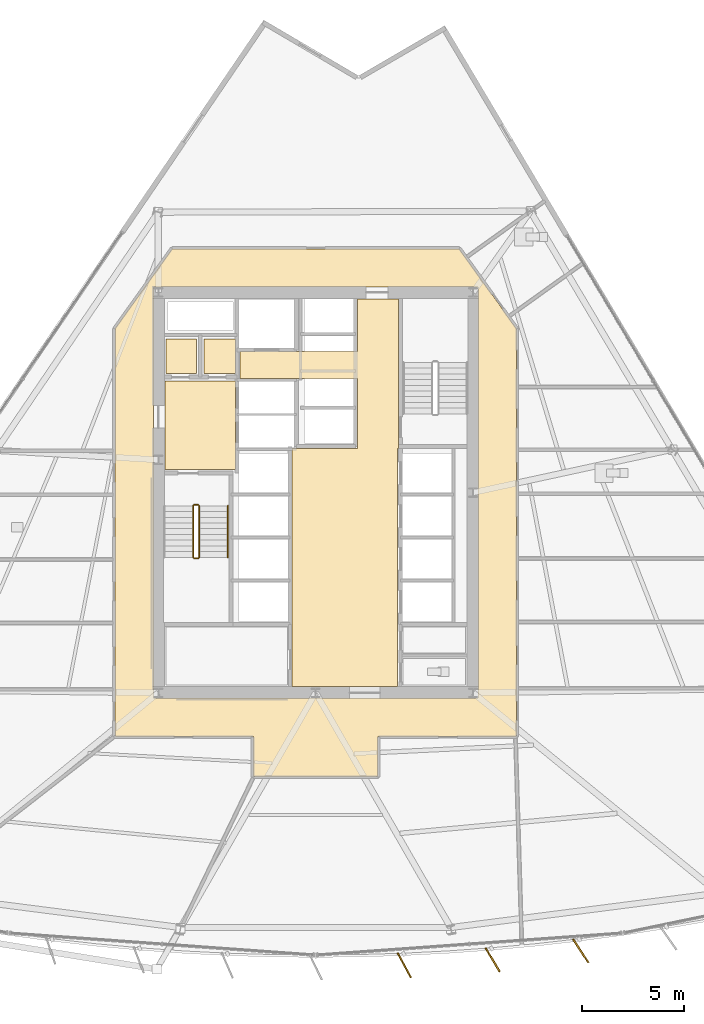
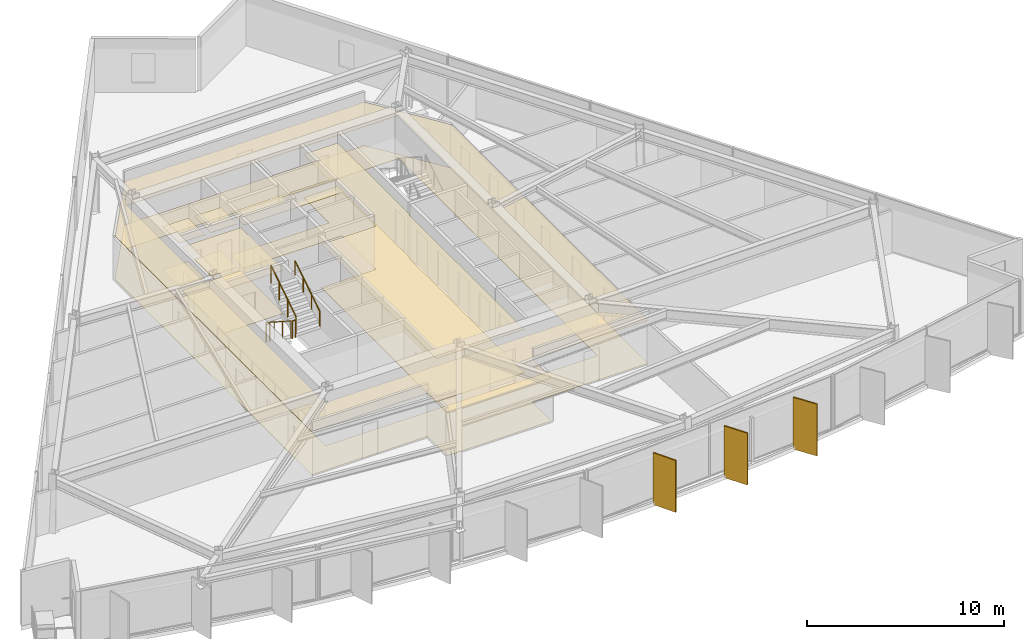
# One storey, part 14 of 17: 10 coverings, 5 railings, 3 shading devices.
"""IFC4 building model written with IfcOpenShell, lengths in metres."""

from ifc_helpers import new_model, si_unit, direction, frame, origin, origin_2d, place, context, subcontext, project, spatial, polyline, rectangle, circle, outline, extrude, material, layer, layer_set, type_object, element, save


model = new_model("IFC4")

# Units and contexts
model_context = context("Model", 3, precision=1e-05, world=origin(), true_north=direction((0.0, 1.0)))
body_context = subcontext(model_context, "Body", "Model", "MODEL_VIEW")
ifc_project = project(units=[si_unit("LENGTHUNIT", "METRE"), si_unit("AREAUNIT", "SQUARE_METRE"), si_unit("VOLUMEUNIT", "CUBIC_METRE"), si_unit("PLANEANGLEUNIT", "RADIAN"), si_unit("MASSUNIT", "GRAM", prefix="KILO")], contexts=[model_context])

# Site, building, storey
site_placement = place(None, origin())
site = spatial("IfcSite", under=ifc_project, at=site_placement, CompositionType="ELEMENT")
building_placement = place(site_placement, origin())
building = spatial("IfcBuilding", under=site, at=building_placement, Name="Savorim Split Tower", CompositionType="ELEMENT")
storey_placement = place(building_placement, frame((0.0, 0.0, 55.199951171875)))
storey = spatial("IfcBuildingStorey", under=building, at=storey_placement, Name="L14", CompositionType="ELEMENT", Elevation=55.199951171875)

# Coverings
ifc_material_1 = material(Name="Mineral Fibre Acoustic Ceiling")
ifc_layer_1 = layer(ifc_material_1, 0.02490234375)
ifc_layer_set_1 = layer_set([ifc_layer_1], Name="COV-CEIL-25")
covering_type_1 = type_object("IfcCoveringType", Name="COV-CEIL-25", PredefinedType="CEILING", material=ifc_layer_set_1)
covering_1_placement = place(storey_placement, frame((0.0, 0.0, 2.670166015625)))
element("IfcCovering", 1, at=covering_1_placement, inside=storey, type_object=covering_type_1, Name="L14 Firefighting Lift Lobby Acoustic Ceiling", PredefinedType="CEILING", context=body_context, shape_type="SweptSolid", body=[
    extrude(outline(polyline([(-7.3798828125, 5.8701171875), (-7.3798828125, 1.530029296875), (-3.929931640625, 1.530029296875), (-3.929931640625, 5.8701171875), (-7.3798828125, 5.8701171875)])), origin(), (0.0, 0.0, 1.0), 0.02490234375),
])
covering_2_placement = place(storey_placement, frame((0.0, 0.0, 2.670166015625)))
element("IfcCovering", 2, at=covering_2_placement, inside=storey, type_object=covering_type_1, Name="L14 Electrical Riser Acoustic Ceiling", PredefinedType="CEILING", context=body_context, shape_type="SweptSolid", body=[
    extrude(outline(polyline([(-7.320068359375, 7.919921875), (-7.320068359375, 6.22998046875), (-5.830078125, 6.22998046875), (-5.830078125, 7.919921875), (-7.320068359375, 7.919921875)])), origin(), (0.0, 0.0, 1.0), 0.02490234375),
])
covering_3_placement = place(storey_placement, frame((0.0, 0.0, 2.670166015625)))
element("IfcCovering", 3, at=covering_3_placement, inside=storey, type_object=covering_type_1, Name="L14 Telecom Riser Acoustic Ceiling", PredefinedType="CEILING", context=body_context, shape_type="SweptSolid", body=[
    extrude(outline(polyline([(-5.469970703125, 7.919921875), (-5.469970703125, 6.22998046875), (-3.929931640625, 6.22998046875), (-3.929931640625, 7.919921875), (-5.469970703125, 7.919921875)])), origin(), (0.0, 0.0, 1.0), 0.02490234375),
])
covering_4_placement = place(storey_placement, frame((0.0, 0.0, 2.670166015625)))
element("IfcCovering", 4, at=covering_4_placement, inside=storey, type_object=covering_type_1, Name="L14 Lift Lobby Acoustic Ceiling", PredefinedType="CEILING", context=body_context, shape_type="SweptSolid", body=[
    extrude(outline(polyline([(2.050048828125, 2.550048828125), (-1.14990234375, 2.550048828125), (-1.14990234375, -9.10009765625), (4.0, -9.10009765625), (4.0, 2.550048828125), (4.050048828125, 2.550048828125), (4.050048828125, 5.97998046875), (4.050048828125, 7.300048828125), (4.050048828125, 9.8798828125), (2.050048828125, 9.8798828125), (2.050048828125, 7.300048828125), (-3.699951171875, 7.300048828125), (-3.699951171875, 5.97998046875), (2.050048828125, 5.97998046875), (2.050048828125, 2.550048828125)])), origin(), (0.0, 0.0, 1.0), 0.02490234375),
])
covering_5_placement = place(storey_placement, frame((0.0, 0.0, 2.670166015625)))
element("IfcCovering", 5, at=covering_5_placement, inside=storey, type_object=covering_type_1, Name="L14 Corridor Acoustic Ceiling", PredefinedType="CEILING", context=body_context, shape_type="SweptSolid", body=[
    extrude(outline(polyline([(7.009521484375, 12.3291015625), (7.004638671875, 12.329833984375), (7.0, 12.330078125), (-7.0, 12.330078125), (-7.004638671875, 12.329833984375), (-7.009521484375, 12.3291015625), (-7.013916015625, 12.327880859375), (-7.0185546875, 12.326416015625), (-7.022705078125, 12.324462890625), (-7.027099609375, 12.322021484375), (-7.03076171875, 12.3193359375), (-7.034423828125, 12.31640625), (-7.03759765625, 12.312744140625), (-7.04052734375, 12.30908203125), (-9.820556640625, 8.42919921875), (-9.823486328125, 8.4248046875), (-9.82568359375, 8.420166015625), (-9.82763671875, 8.415283203125), (-9.828857421875, 8.410400390625), (-9.82958984375, 8.4052734375), (-9.830078125, 8.39990234375), (-9.830078125, -11.47998046875), (-9.829833984375, -11.48486328125), (-9.8291015625, -11.48974609375), (-9.827880859375, -11.494384765625), (-9.826171875, -11.4990234375), (-9.82421875, -11.503662109375), (-9.821533203125, -11.5078125), (-9.818603515625, -11.51171875), (-9.8154296875, -11.515380859375), (-9.811767578125, -11.518798828125), (-9.807861328125, -11.521484375), (-9.8037109375, -11.524169921875), (-9.799072265625, -11.526123046875), (-9.79443359375, -11.52783203125), (-9.789794921875, -11.529052734375), (-9.784912109375, -11.52978515625), (-9.780029296875, -11.530029296875), (-3.050048828125, -11.530029296875), (-3.050048828125, -13.449951171875), (-3.0498046875, -13.454833984375), (-3.049072265625, -13.459716796875), (-3.0478515625, -13.464599609375), (-3.046142578125, -13.468994140625), (-3.044189453125, -13.4736328125), (-3.04150390625, -13.477783203125), (-3.038818359375, -13.481689453125), (-3.035400390625, -13.4853515625), (-3.03173828125, -13.48876953125), (-3.02783203125, -13.49169921875), (-3.023681640625, -13.494140625), (-3.01904296875, -13.49609375), (-3.014404296875, -13.497802734375), (-3.009765625, -13.4990234375), (-3.0048828125, -13.499755859375), (-3.0, -13.5), (3.0, -13.5), (3.0048828125, -13.499755859375), (3.009765625, -13.4990234375), (3.014404296875, -13.497802734375), (3.01904296875, -13.49609375), (3.023681640625, -13.494140625), (3.02783203125, -13.49169921875), (3.03173828125, -13.48876953125), (3.035400390625, -13.4853515625), (3.038818359375, -13.481689453125), (3.04150390625, -13.477783203125), (3.044189453125, -13.4736328125), (3.046142578125, -13.468994140625), (3.0478515625, -13.464599609375), (3.049072265625, -13.459716796875), (3.0498046875, -13.454833984375), (3.050048828125, -13.449951171875), (3.050048828125, -11.530029296875), (9.780029296875, -11.530029296875), (9.784912109375, -11.52978515625), (9.789794921875, -11.529052734375), (9.79443359375, -11.52783203125), (9.799072265625, -11.526123046875), (9.8037109375, -11.524169921875), (9.807861328125, -11.521484375), (9.811767578125, -11.518798828125), (9.8154296875, -11.515380859375), (9.818603515625, -11.51171875), (9.821533203125, -11.5078125), (9.82421875, -11.503662109375), (9.826171875, -11.4990234375), (9.827880859375, -11.494384765625), (9.8291015625, -11.48974609375), (9.829833984375, -11.48486328125), (9.830078125, -11.47998046875), (9.830078125, 8.39990234375), (9.82958984375, 8.4052734375), (9.828857421875, 8.410400390625), (9.82763671875, 8.415283203125), (9.82568359375, 8.420166015625), (9.823486328125, 8.4248046875), (9.820556640625, 8.42919921875), (7.04052734375, 12.30908203125), (7.03759765625, 12.312744140625), (7.034423828125, 12.31640625), (7.03076171875, 12.3193359375), (7.027099609375, 12.322021484375), (7.022705078125, 12.324462890625), (7.0185546875, 12.326416015625), (7.013916015625, 12.327880859375), (7.009521484375, 12.3291015625)]), holes=[polyline([(-7.949951171875, 10.449951171875), (-7.949951171875, -9.64990234375), (7.949951171875, -9.64990234375), (7.949951171875, 10.449951171875), (-7.949951171875, 10.449951171875)])]), origin(), (0.0, 0.0, 1.0), 0.02490234375),
])
ifc_material_2 = material(Name="Porcelain Stoneware Flooring", Category="masonry")
ifc_layer_2 = layer(ifc_material_2, 0.02001953125)
ifc_layer_set_2 = layer_set([ifc_layer_2], Name="COV-FLOR-20")
covering_type_2 = type_object("IfcCoveringType", Name="COV-FLOR-20", PredefinedType="FLOORING", material=ifc_layer_set_2)
covering_6_placement = place(storey_placement, origin())
element("IfcCovering", 6, at=covering_6_placement, inside=storey, type_object=covering_type_2, Name="L14 Firefighting Lift Lobby Porcelain Flooring", PredefinedType="FLOORING", context=body_context, shape_type="SweptSolid", body=[
    extrude(outline(polyline([(-7.3798828125, 5.8701171875), (-7.3798828125, 1.530029296875), (-3.929931640625, 1.530029296875), (-3.929931640625, 5.8701171875), (-7.3798828125, 5.8701171875)])), origin(), (0.0, 0.0, 1.0), 0.02001953125),
])
covering_7_placement = place(storey_placement, origin())
element("IfcCovering", 7, at=covering_7_placement, inside=storey, type_object=covering_type_2, Name="L14 Electrical Riser Porcelain Flooring", PredefinedType="FLOORING", context=body_context, shape_type="SweptSolid", body=[
    extrude(outline(polyline([(-7.320068359375, 7.919921875), (-7.320068359375, 6.22998046875), (-5.830078125, 6.22998046875), (-5.830078125, 7.919921875), (-7.320068359375, 7.919921875)])), origin(), (0.0, 0.0, 1.0), 0.02001953125),
])
covering_8_placement = place(storey_placement, origin())
element("IfcCovering", 8, at=covering_8_placement, inside=storey, type_object=covering_type_2, Name="L14 Telecom Riser Porcelain Flooring", PredefinedType="FLOORING", context=body_context, shape_type="SweptSolid", body=[
    extrude(outline(polyline([(-5.469970703125, 7.919921875), (-5.469970703125, 6.22998046875), (-3.929931640625, 6.22998046875), (-3.929931640625, 7.919921875), (-5.469970703125, 7.919921875)])), origin(), (0.0, 0.0, 1.0), 0.02001953125),
])
covering_9_placement = place(storey_placement, origin())
element("IfcCovering", 9, at=covering_9_placement, inside=storey, type_object=covering_type_2, Name="L14 Lift Lobby Porcelain Flooring", PredefinedType="FLOORING", context=body_context, shape_type="SweptSolid", body=[
    extrude(outline(polyline([(2.050048828125, 2.550048828125), (-1.14990234375, 2.550048828125), (-1.14990234375, -9.10009765625), (4.0, -9.10009765625), (4.0, 2.550048828125), (4.050048828125, 2.550048828125), (4.050048828125, 5.97998046875), (4.050048828125, 7.300048828125), (4.050048828125, 9.8798828125), (2.050048828125, 9.8798828125), (2.050048828125, 7.300048828125), (-3.699951171875, 7.300048828125), (-3.699951171875, 5.97998046875), (2.050048828125, 5.97998046875), (2.050048828125, 2.550048828125)])), origin(), (0.0, 0.0, 1.0), 0.02001953125),
])
covering_10_placement = place(storey_placement, origin())
element("IfcCovering", 10, at=covering_10_placement, inside=storey, type_object=covering_type_2, Name="L14 Corridor Porcelain Flooring", PredefinedType="FLOORING", context=body_context, shape_type="SweptSolid", body=[
    extrude(outline(polyline([(7.009521484375, 12.3291015625), (7.004638671875, 12.329833984375), (7.0, 12.330078125), (-7.0, 12.330078125), (-7.004638671875, 12.329833984375), (-7.009521484375, 12.3291015625), (-7.013916015625, 12.327880859375), (-7.0185546875, 12.326416015625), (-7.022705078125, 12.324462890625), (-7.027099609375, 12.322021484375), (-7.03076171875, 12.3193359375), (-7.034423828125, 12.31640625), (-7.03759765625, 12.312744140625), (-7.04052734375, 12.30908203125), (-9.820556640625, 8.42919921875), (-9.823486328125, 8.4248046875), (-9.82568359375, 8.420166015625), (-9.82763671875, 8.415283203125), (-9.828857421875, 8.410400390625), (-9.82958984375, 8.4052734375), (-9.830078125, 8.39990234375), (-9.830078125, -11.47998046875), (-9.829833984375, -11.48486328125), (-9.8291015625, -11.48974609375), (-9.827880859375, -11.494384765625), (-9.826171875, -11.4990234375), (-9.82421875, -11.503662109375), (-9.821533203125, -11.5078125), (-9.818603515625, -11.51171875), (-9.8154296875, -11.515380859375), (-9.811767578125, -11.518798828125), (-9.807861328125, -11.521484375), (-9.8037109375, -11.524169921875), (-9.799072265625, -11.526123046875), (-9.79443359375, -11.52783203125), (-9.789794921875, -11.529052734375), (-9.784912109375, -11.52978515625), (-9.780029296875, -11.530029296875), (-3.050048828125, -11.530029296875), (-3.050048828125, -13.449951171875), (-3.0498046875, -13.454833984375), (-3.049072265625, -13.459716796875), (-3.0478515625, -13.464599609375), (-3.046142578125, -13.468994140625), (-3.044189453125, -13.4736328125), (-3.04150390625, -13.477783203125), (-3.038818359375, -13.481689453125), (-3.035400390625, -13.4853515625), (-3.03173828125, -13.48876953125), (-3.02783203125, -13.49169921875), (-3.023681640625, -13.494140625), (-3.01904296875, -13.49609375), (-3.014404296875, -13.497802734375), (-3.009765625, -13.4990234375), (-3.0048828125, -13.499755859375), (-3.0, -13.5), (3.0, -13.5), (3.0048828125, -13.499755859375), (3.009765625, -13.4990234375), (3.014404296875, -13.497802734375), (3.01904296875, -13.49609375), (3.023681640625, -13.494140625), (3.02783203125, -13.49169921875), (3.03173828125, -13.48876953125), (3.035400390625, -13.4853515625), (3.038818359375, -13.481689453125), (3.04150390625, -13.477783203125), (3.044189453125, -13.4736328125), (3.046142578125, -13.468994140625), (3.0478515625, -13.464599609375), (3.049072265625, -13.459716796875), (3.0498046875, -13.454833984375), (3.050048828125, -13.449951171875), (3.050048828125, -11.530029296875), (9.780029296875, -11.530029296875), (9.784912109375, -11.52978515625), (9.789794921875, -11.529052734375), (9.79443359375, -11.52783203125), (9.799072265625, -11.526123046875), (9.8037109375, -11.524169921875), (9.807861328125, -11.521484375), (9.811767578125, -11.518798828125), (9.8154296875, -11.515380859375), (9.818603515625, -11.51171875), (9.821533203125, -11.5078125), (9.82421875, -11.503662109375), (9.826171875, -11.4990234375), (9.827880859375, -11.494384765625), (9.8291015625, -11.48974609375), (9.829833984375, -11.48486328125), (9.830078125, -11.47998046875), (9.830078125, 8.39990234375), (9.82958984375, 8.4052734375), (9.828857421875, 8.410400390625), (9.82763671875, 8.415283203125), (9.82568359375, 8.420166015625), (9.823486328125, 8.4248046875), (9.820556640625, 8.42919921875), (7.04052734375, 12.30908203125), (7.03759765625, 12.312744140625), (7.034423828125, 12.31640625), (7.03076171875, 12.3193359375), (7.027099609375, 12.322021484375), (7.022705078125, 12.324462890625), (7.0185546875, 12.326416015625), (7.013916015625, 12.327880859375), (7.009521484375, 12.3291015625)]), holes=[polyline([(-7.949951171875, 10.449951171875), (-7.949951171875, -9.64990234375), (7.949951171875, -9.64990234375), (7.949951171875, 10.449951171875), (-7.949951171875, 10.449951171875)])]), origin(), (0.0, 0.0, 1.0), 0.02001953125),
])

# Railings
ifc_material_3 = material(Name="Galvanised Painted Steel Balustrade", Category="steel")
railing_type_1 = type_object("IfcRailingType", Name="RLG-HR-900", PredefinedType="HANDRAIL", material=ifc_material_3)
railing_1_placement = place(storey_placement, frame((-4.300048828125, -2.77001953125, 1.97998046875)))
element("IfcRailing", 11, at=railing_1_placement, inside=storey, type_object=railing_type_1, Name="L14 ST-1 stair handrail 2", PredefinedType="HANDRAIL", context=body_context, shape_type="SweptSolid", body=[
    extrude(circle(Radius=0.02392578125, at=origin_2d()), frame((0.0, 0.0, 0.8759765625), z_axis=(0.0, 0.841162588446, 0.540782303519), x_axis=(-1.0, 0.0, 0.0)), (0.0, 0.0, 1.0), 2.995849609375),
    extrude(circle(Radius=0.02099609375, at=origin_2d()), origin(), (0.0, 0.0, 1.0), 0.851806640625),
    extrude(circle(Radius=0.02099609375, at=origin_2d()), frame((0.0, 0.840087890625, 0.5400390625)), (0.0, 0.0, 1.0), 0.851806640625),
    extrude(circle(Radius=0.02099609375, at=origin_2d()), frame((0.0, 1.679931640625, 1.080078125)), (0.0, 0.0, 1.0), 0.851806640625),
    extrude(circle(Radius=0.02099609375, at=origin_2d()), frame((0.0, 2.52001953125, 1.6201171875)), (0.0, 0.0, 1.0), 0.851806640625),
])
railing_type_2 = type_object("IfcRailingType", Name="RLG-STG-1100", PredefinedType="BALUSTRADE", material=ifc_material_3)
railing_2_placement = place(storey_placement, frame((-6.0, -0.25, 0.179931640625)))
element("IfcRailing", 12, at=railing_2_placement, inside=storey, type_object=railing_type_2, Name="L14 ST-1 stair guard 1", PredefinedType="BALUSTRADE", context=body_context, shape_type="SweptSolid", body=[
    extrude(circle(Radius=0.02392578125, at=origin_2d()), frame((0.0, 0.0, 1.076171875), z_axis=(0.0, -0.841162588446, 0.540782303519), x_axis=(1.0, 0.0, 0.0)), (0.0, 0.0, 1.0), 2.995849609375),
    extrude(circle(Radius=0.02099609375, at=origin_2d()), origin(), (0.0, 0.0, 1.0), 1.052001953125),
    extrude(circle(Radius=0.02099609375, at=origin_2d()), frame((0.0, -0.840087890625, 0.5400390625)), (0.0, 0.0, 1.0), 1.052001953125),
    extrude(circle(Radius=0.02099609375, at=origin_2d()), frame((0.0, -1.679931640625, 1.080078125)), (0.0, 0.0, 1.0), 1.052001953125),
    extrude(circle(Radius=0.02099609375, at=origin_2d()), frame((0.0, -2.52001953125, 1.6201171875)), (0.0, 0.0, 1.0), 1.052001953125),
])
railing_3_placement = place(storey_placement, frame((-5.949951171875, -2.820068359375, 1.800048828125)))
element("IfcRailing", 13, at=railing_3_placement, inside=storey, type_object=railing_type_2, Name="L14 ST-1 stair guard 2", PredefinedType="BALUSTRADE", context=body_context, shape_type="SweptSolid", body=[
    extrude(circle(Radius=0.02392578125, at=origin_2d()), frame((0.0, 0.0, 1.076171875), z_axis=(1.0, 0.0, 0.0), x_axis=(0.0, 1.0, 0.0)), (0.0, 0.0, 1.0), 0.199951171875),
    extrude(circle(Radius=0.02099609375, at=origin_2d()), origin(), (0.0, 0.0, 1.0), 1.052001953125),
    extrude(circle(Radius=0.02099609375, at=origin_2d()), frame((0.199951171875, 0.0, 0.0)), (0.0, 0.0, 1.0), 1.052001953125),
])
railing_4_placement = place(storey_placement, frame((-5.699951171875, -2.77001953125, 1.97998046875)))
element("IfcRailing", 14, at=railing_4_placement, inside=storey, type_object=railing_type_2, Name="L14 ST-1 stair guard 3", PredefinedType="BALUSTRADE", context=body_context, shape_type="SweptSolid", body=[
    extrude(circle(Radius=0.02392578125, at=origin_2d()), frame((0.0, 0.0, 1.076171875), z_axis=(0.0, 0.841162588446, 0.540782303519), x_axis=(-1.0, 0.0, 0.0)), (0.0, 0.0, 1.0), 2.995849609375),
    extrude(circle(Radius=0.02099609375, at=origin_2d()), origin(), (0.0, 0.0, 1.0), 1.052001953125),
    extrude(circle(Radius=0.02099609375, at=origin_2d()), frame((0.0, 0.840087890625, 0.5400390625)), (0.0, 0.0, 1.0), 1.052001953125),
    extrude(circle(Radius=0.02099609375, at=origin_2d()), frame((0.0, 1.679931640625, 1.080078125)), (0.0, 0.0, 1.0), 1.052001953125),
    extrude(circle(Radius=0.02099609375, at=origin_2d()), frame((0.0, 2.52001953125, 1.6201171875)), (0.0, 0.0, 1.0), 1.052001953125),
])
railing_5_placement = place(storey_placement, frame((-5.949951171875, -0.199951171875, 0.0)))
element("IfcRailing", 15, at=railing_5_placement, inside=storey, type_object=railing_type_2, Name="L14 ST-1 stair guard 4", PredefinedType="BALUSTRADE", context=body_context, shape_type="SweptSolid", body=[
    extrude(circle(Radius=0.02392578125, at=origin_2d()), frame((0.0, 0.0, 1.076171875), z_axis=(1.0, 0.0, 0.0), x_axis=(0.0, 1.0, 0.0)), (0.0, 0.0, 1.0), 0.199951171875),
    extrude(circle(Radius=0.02099609375, at=origin_2d()), origin(), (0.0, 0.0, 1.0), 1.052001953125),
    extrude(circle(Radius=0.02099609375, at=origin_2d()), frame((0.199951171875, 0.0, 0.0)), (0.0, 0.0, 1.0), 1.052001953125),
])

# Shading devices
ifc_material_4 = material(Name="Terracotta Ceramic-Coated Aluminium Fin", Category="masonry")
shading_device_type = type_object("IfcShadingDeviceType", Name="SHD-FIN-1360", PredefinedType="USERDEFINED", material=ifc_material_4)
for number, where, z_axis, x_axis, name in (
    (16, (4.33349609375, -22.73779296875, -0.19970703125), (0.0, 0.0, 1.0), (0.474778051978, -0.880105562623, 0.0), "L14 Sawtooth Shading Fin 08"),
    (17, (8.659423828125, -22.4716796875, -0.19970703125), (0.0, 0.0, 1.0), (0.510391336723, -0.859942255851, 0.0), "L14 Sawtooth Shading Fin 09"),
    (18, (12.97119140625, -22.029052734375, -0.19970703125), (0.0, 0.0, 1.0), (0.545148321708, -0.838339613366, 0.0), "L14 Sawtooth Shading Fin 10"),
):
    element("IfcShadingDevice", number, at=place(storey_placement, frame(where, z_axis=z_axis, x_axis=x_axis)), inside=storey, type_object=shading_device_type, Name=name, ObjectType="FIN", PredefinedType="USERDEFINED", context=body_context, shape_type="SweptSolid", body=[
        extrude(rectangle(XDim=1.360107421875, YDim=0.080078125, at=origin_2d()), origin(), (0.0, 0.0, 1.0), 3.199951171875),
    ])

save(model, "model.ifc")
